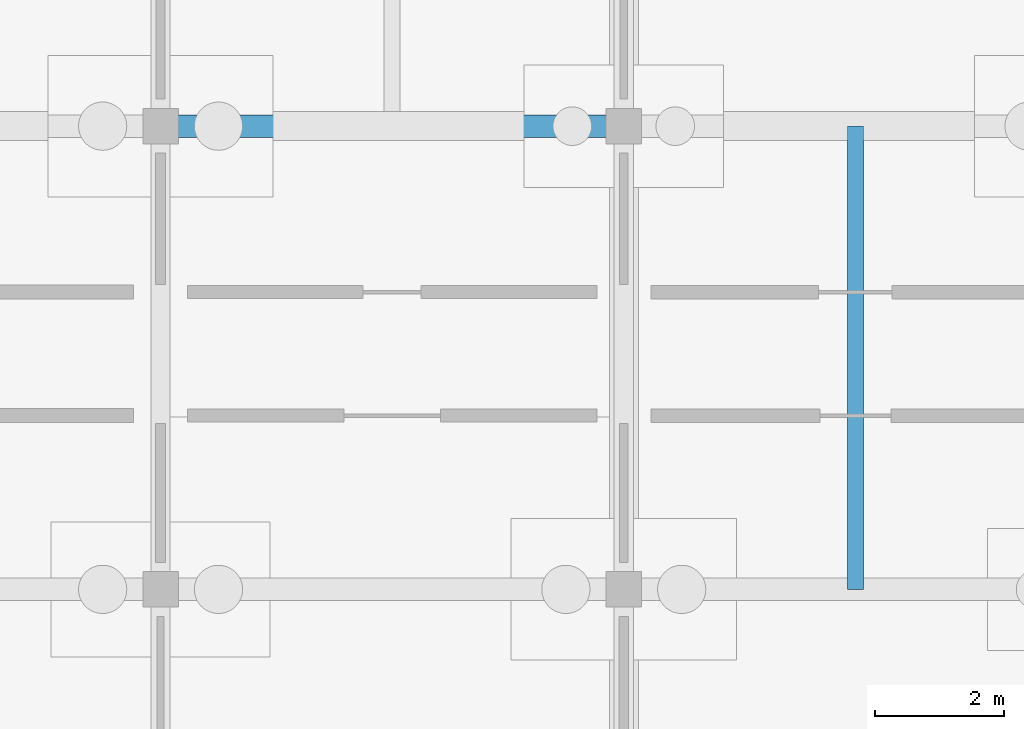
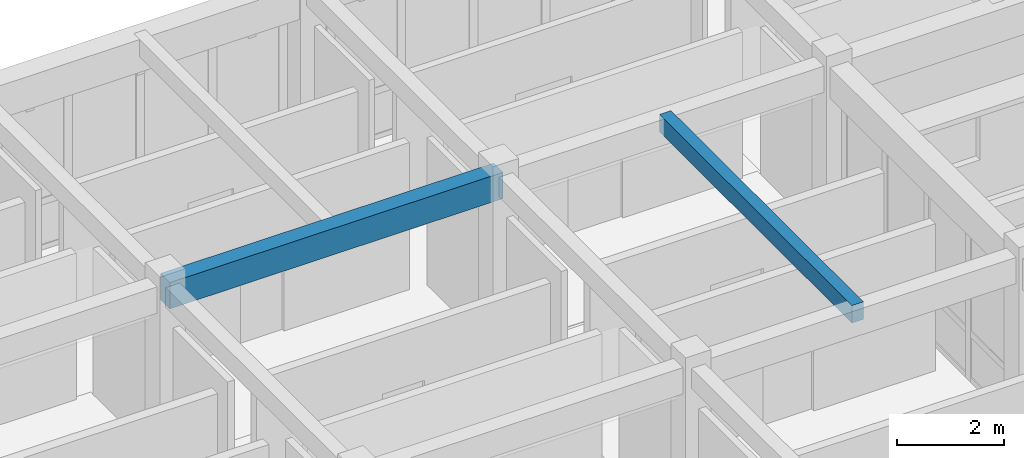
# One storey, part 25 of 111: 2 beams.
"""IFC4 building model written with IfcOpenShell, lengths in metres."""

from ifc_helpers import new_model, si_unit, direction, frame, origin, origin_2d, place, context, subcontext, project, spatial, rectangle, extrude, material, material_profile, profile_set, type_object, element, save


model = new_model("IFC4")

# Units and contexts
model_context = context("Model", 3, precision=1e-05, world=origin(), true_north=direction((0.0, 1.0)))
body_context = subcontext(model_context, "Body", "Model", "MODEL_VIEW")
ifc_project = project(units=[si_unit("LENGTHUNIT", "METRE"), si_unit("AREAUNIT", "SQUARE_METRE"), si_unit("VOLUMEUNIT", "CUBIC_METRE"), si_unit("PLANEANGLEUNIT", "RADIAN"), si_unit("MASSUNIT", "GRAM", prefix="KILO")], contexts=[model_context])

# Site, building, storey
site_placement = place(None, origin())
site = spatial("IfcSite", under=ifc_project, at=site_placement, CompositionType="ELEMENT")
building_placement = place(site_placement, origin())
building = spatial("IfcBuilding", under=site, at=building_placement, Name="Aldebral Square Health Centre", CompositionType="ELEMENT")
storey_placement = place(building_placement, origin())
storey = spatial("IfcBuildingStorey", under=building, at=storey_placement, Name="L00", CompositionType="ELEMENT", Elevation=0.0)

# Beams
ifc_material = material(Name="Concrete C40/50", Category="concrete")
ifc_material_profile_1 = material_profile(ifc_material, rectangle(XDim=0.35009765625, YDim=0.60009765625, at=origin_2d()), Name="RC 350x600")
ifc_profile_set_1 = profile_set([ifc_material_profile_1], Name="Concrete C40/50")
beam_type_1 = type_object("IfcBeamType", Name="BM-B2", PredefinedType="BEAM", material=ifc_profile_set_1)
beam_1_placement = place(storey_placement, frame((93.60009765625, 93.60009765625, 3.919921875), z_axis=(1.0, 0.0, 0.0), x_axis=(0.0, 1.0, 0.0)))
element("IfcBeam", 1, at=beam_1_placement, inside=storey, type_object=beam_type_1, Name="L00 X-beam 14-15/G14", PredefinedType="BEAM", context=body_context, shape_type="SweptSolid", body=[
    extrude(rectangle(XDim=0.35009765625, YDim=0.60009765625, at=origin_2d()), origin(), (0.0, 0.0, 1.0), 7.199951171875),
])
ifc_material_profile_2 = material_profile(ifc_material, rectangle(XDim=0.25, YDim=0.39990234375, at=origin_2d()), Name="RC 250x400")
ifc_profile_set_2 = profile_set([ifc_material_profile_2], Name="Concrete C40/50")
beam_type_2 = type_object("IfcBeamType", Name="BM-B6", PredefinedType="JOIST", material=ifc_profile_set_2)
beam_2_placement = place(storey_placement, frame((104.39990234375, 86.39990234375, 4.02001953125), z_axis=(0.0, 1.0, 0.0), x_axis=(-1.0, 0.0, 0.0)))
element("IfcBeam", 2, at=beam_2_placement, inside=storey, type_object=beam_type_2, Name="L00 secondary rib 15.13", PredefinedType="JOIST", context=body_context, shape_type="SweptSolid", body=[
    extrude(rectangle(XDim=0.25, YDim=0.39990234375, at=origin_2d()), origin(), (0.0, 0.0, 1.0), 7.2001953125),
])

save(model, "model.ifc")
